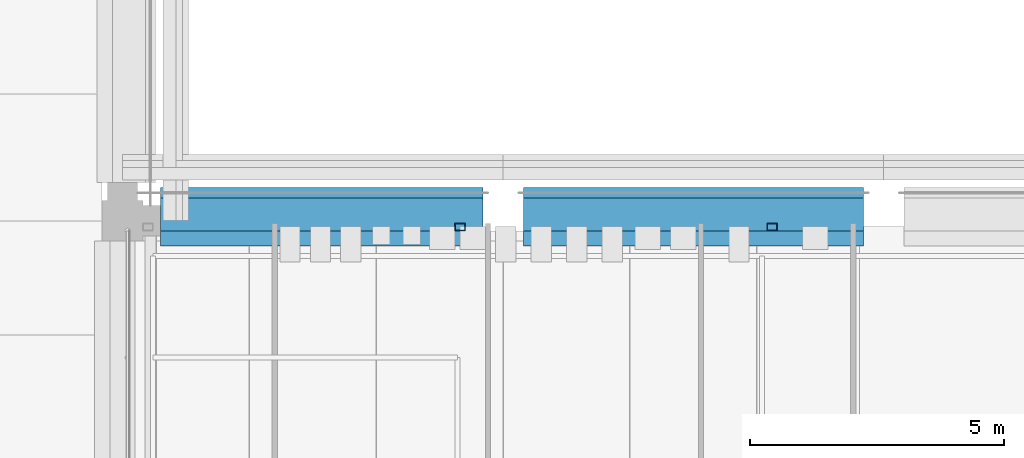
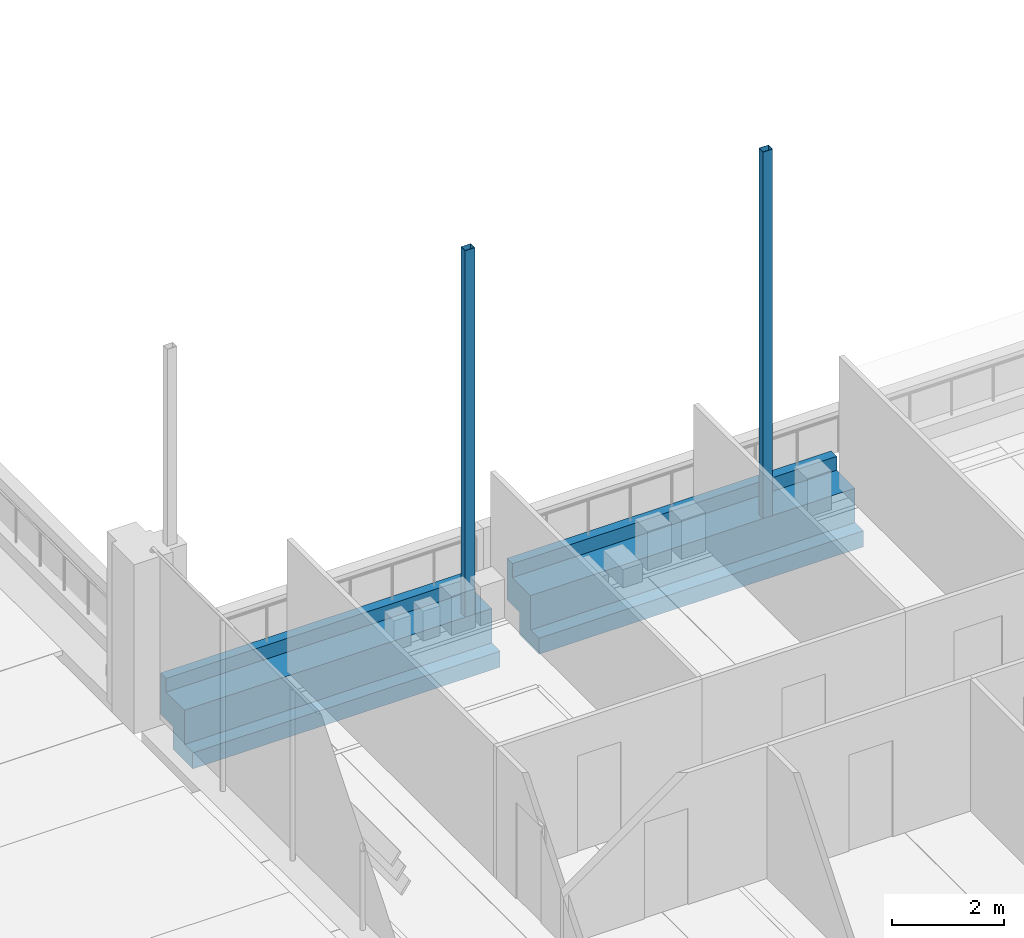
# One storey, part 6 of 62: 2 beams, 2 members.
"""IFC4 building model written with IfcOpenShell, lengths in metres."""

from ifc_helpers import new_model, si_unit, direction, frame, origin, origin_2d, place, context, subcontext, project, spatial, polyline, hollow_rectangle, outline, extrude, material, material_profile, profile_set, type_object, element, save


model = new_model("IFC4")

# Units and contexts
model_context = context("Model", 3, precision=1e-05, world=origin(), true_north=direction((0.0, 1.0)))
body_context = subcontext(model_context, "Body", "Model", "MODEL_VIEW")
ifc_project = project(units=[si_unit("LENGTHUNIT", "METRE"), si_unit("AREAUNIT", "SQUARE_METRE"), si_unit("VOLUMEUNIT", "CUBIC_METRE"), si_unit("PLANEANGLEUNIT", "RADIAN"), si_unit("MASSUNIT", "GRAM", prefix="KILO")], contexts=[model_context])

# Site, building, storey
site_placement = place(None, origin())
site = spatial("IfcSite", under=ifc_project, at=site_placement, CompositionType="ELEMENT")
building_placement = place(site_placement, origin())
building = spatial("IfcBuilding", under=site, at=building_placement, Name="Cour d'Honneur Mobility Palace", CompositionType="ELEMENT")
storey_placement = place(building_placement, frame((0.0, 0.0, 19.300048828125)))
storey = spatial("IfcBuildingStorey", under=building, at=storey_placement, Name="L05", CompositionType="ELEMENT", Elevation=19.300048828125)

# Beams
ifc_material_1 = material(Name="Concrete C45", Category="concrete")
ifc_material_profile_1 = material_profile(ifc_material_1, outline(polyline([(0.199951171875, -1.10009765625), (0.199951171875, -0.60009765625), (0.64990234375, -0.60009765625), (0.64990234375, 0.300048828125), (0.449951171875, 0.300048828125), (0.449951171875, 0.0), (0.199951171875, 0.0), (-0.199951171875, 0.0), (-0.199951171875, -0.75), (-0.5, -0.75), (-0.5, -1.10009765625), (0.199951171875, -1.10009765625)])), Name="Ledger Beam 400x1100 ledge right 350 facade left")
ifc_profile_set_1 = profile_set([ifc_material_profile_1], Name="Concrete C45")
beam_type = type_object("IfcBeamType", Name="Ledger Beam 400x1100 ledge right 350 facade left", PredefinedType="BEAM", material=ifc_profile_set_1)
beam_1_placement = place(storey_placement, frame((18.14990234375, 62.39990234375, 0.0), z_axis=(1.0, 0.0, 0.0), x_axis=(0.0, 1.0, 0.0)))
element("IfcBeam", 1, at=beam_1_placement, inside=storey, type_object=beam_type, Name="Precast beam B4 2-3 L05", PredefinedType="BEAM", context=body_context, shape_type="SweptSolid", body=[
    extrude(outline(polyline([(0.199951171875, -1.10009765625), (0.199951171875, -0.60009765625), (0.64990234375, -0.60009765625), (0.64990234375, 0.300048828125), (0.449951171875, 0.300048828125), (0.449951171875, 0.0), (0.199951171875, 0.0), (-0.199951171875, 0.0), (-0.199951171875, -0.75), (-0.5, -0.75), (-0.5, -1.10009765625), (0.199951171875, -1.10009765625)])), origin(), (0.0, 0.0, 1.0), 6.35009765625),
])
beam_2_placement = place(storey_placement, frame((25.300048828125, 62.39990234375, 0.0), z_axis=(1.0, 0.0, 0.0), x_axis=(0.0, 1.0, 0.0)))
element("IfcBeam", 2, at=beam_2_placement, inside=storey, type_object=beam_type, Name="Precast beam B4 3-4 L05", PredefinedType="BEAM", context=body_context, shape_type="SweptSolid", body=[
    extrude(outline(polyline([(0.199951171875, -1.10009765625), (0.199951171875, -0.60009765625), (0.64990234375, -0.60009765625), (0.64990234375, 0.300048828125), (0.449951171875, 0.300048828125), (0.449951171875, 0.0), (0.199951171875, 0.0), (-0.199951171875, 0.0), (-0.199951171875, -0.75), (-0.5, -0.75), (-0.5, -1.10009765625), (0.199951171875, -1.10009765625)])), origin(), (0.0, 0.0, 1.0), 6.699951171875),
])

# Members
ifc_material_2 = material(Name="Steel S355", Category="steel")
ifc_material_profile_2 = material_profile(ifc_material_2, hollow_rectangle(XDim=0.14990234375, YDim=0.199951171875, WallThickness=0.008056640625, at=origin_2d()), Name="RHS 200x150x8")
ifc_profile_set_2 = profile_set([ifc_material_profile_2], Name="Steel S355")
member_type = type_object("IfcMemberType", Name="Pergola post RHS 200x150x8", PredefinedType="POST", material=ifc_profile_set_2)
for number, where, z_axis, x_axis, name in (
    (3, (24.050048828125, 62.27490234375, 0.0), (0.0, 0.0, 1.0), (0.0, 1.0, 0.0), "Pergola post FW-N2"),
    (4, (30.199951171875, 62.27490234375, 0.0), (0.0, 0.0, 1.0), (0.0, 1.0, 0.0), "Pergola post FW-N3"),
):
    element("IfcMember", number, at=place(storey_placement, frame(where, z_axis=z_axis, x_axis=x_axis)), inside=storey, type_object=member_type, Name=name, PredefinedType="POST", context=body_context, shape_type="SweptSolid", body=[
        extrude(hollow_rectangle(XDim=0.14990234375, YDim=0.199951171875, WallThickness=0.008056640625, at=origin_2d()), origin(), (0.0, 0.0, 1.0), 8.0),
    ])

save(model, "model.ifc")
